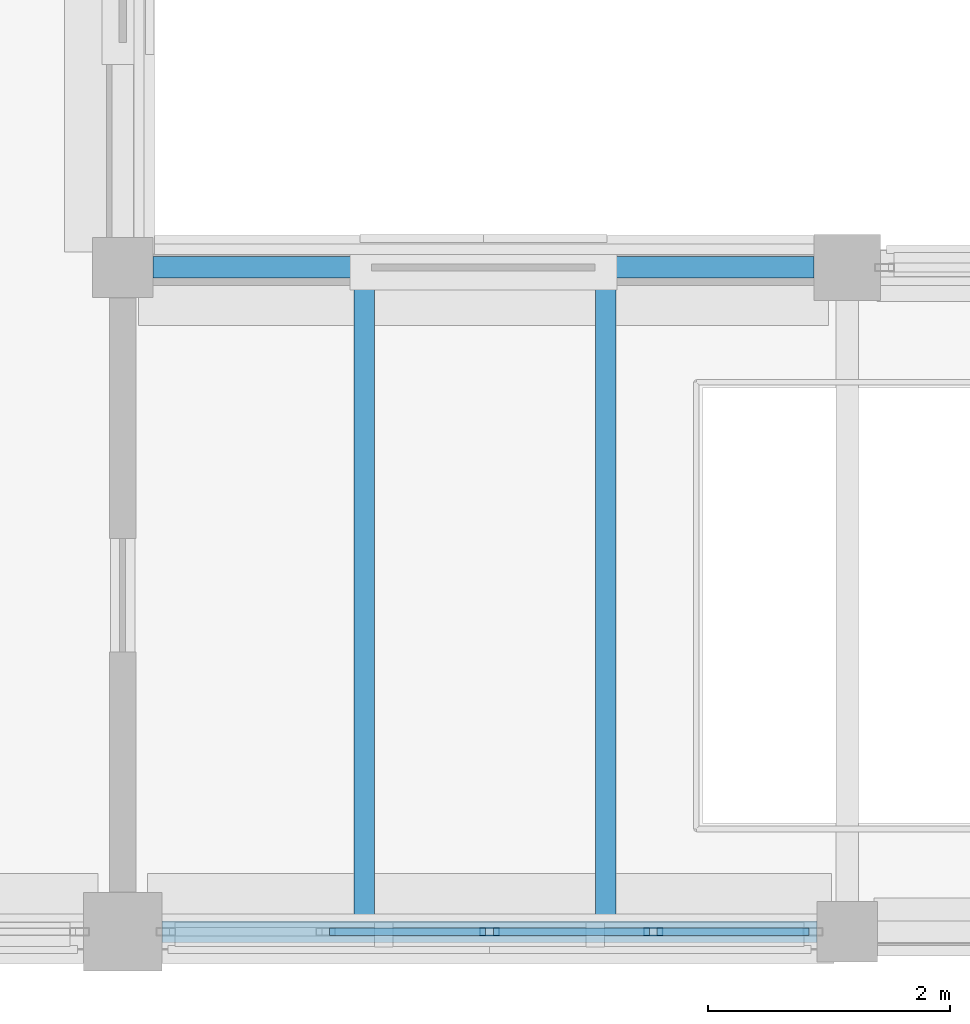
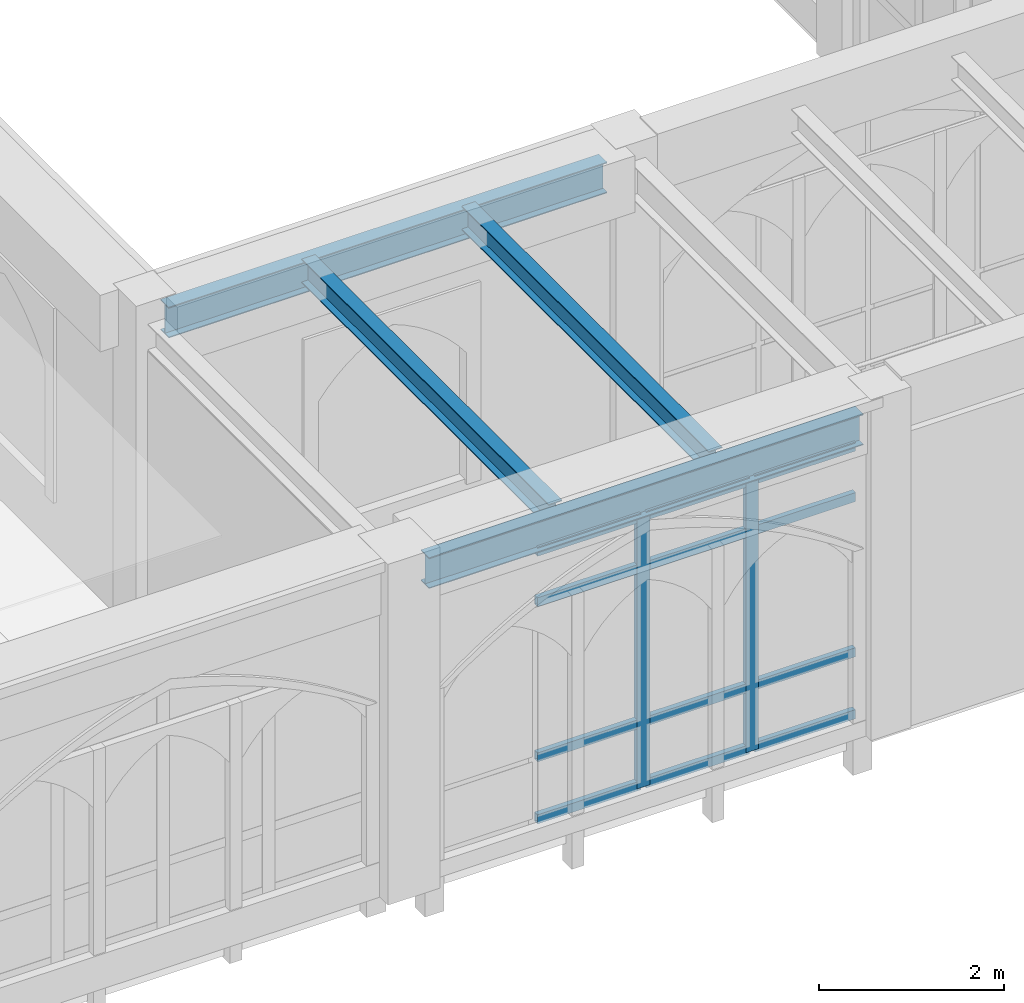
# One storey, part 15 of 127: 14 members, 4 beams, 1 element without a shape of its own.
"""IFC4 building model written with IfcOpenShell, lengths in metres."""

from ifc_helpers import new_model, si_unit, direction, frame, origin, origin_2d, place, context, subcontext, project, spatial, hollow_rectangle, i_section, extrude, material, layer, layer_set, material_profile, profile_set, type_object, element, aggregate, save


model = new_model("IFC4")

# Units and contexts
model_context = context("Model", 3, precision=1e-05, world=origin(), true_north=direction((0.0, 1.0)))
body_context = subcontext(model_context, "Body", "Model", "MODEL_VIEW")
ifc_project = project(units=[si_unit("LENGTHUNIT", "METRE"), si_unit("AREAUNIT", "SQUARE_METRE"), si_unit("VOLUMEUNIT", "CUBIC_METRE"), si_unit("PLANEANGLEUNIT", "RADIAN"), si_unit("MASSUNIT", "GRAM", prefix="KILO")], contexts=[model_context])

# Site, building, storey
site_placement = place(None, origin())
site = spatial("IfcSite", under=ifc_project, at=site_placement, CompositionType="ELEMENT")
building_placement = place(site_placement, origin())
building = spatial("IfcBuilding", under=site, at=building_placement, Name="Cumevento Cable Car Station", CompositionType="ELEMENT")
storey_placement = place(building_placement, frame((0.0, 0.0, 4.5)))
storey = spatial("IfcBuildingStorey", under=building, at=storey_placement, Name="L02", CompositionType="ELEMENT", Elevation=4.5)

# Curtain wall, members
ifc_material_1 = material(Name="Anodised Bronze Aluminium AW-6063-T6", Category="aluminium")
ifc_layer = layer(ifc_material_1, 0.214111328125)
ifc_layer_set = layer_set([ifc_layer], Name="Anodised Bronze Aluminium AW-6063-T6")
curtain_wall_type = type_object("IfcCurtainWallType", Name="Lancet Curtain Wall CW-10 1410", PredefinedType="NOTDEFINED", material=ifc_layer_set)
curtain_wall_placement = place(storey_placement, origin())
curtain_wall = element("IfcCurtainWall", 1, at=curtain_wall_placement, inside=storey, type_object=curtain_wall_type, Name="Lancet Curtain Wall CW-10 L02 #25", PredefinedType="NOTDEFINED")
ifc_material_2 = material(Name="Anodised Bronze Aluminium AW-6063-T6", Category="aluminium")
ifc_material_profile_1 = material_profile(ifc_material_2, hollow_rectangle(XDim=0.06494140625, YDim=0.159912109375, WallThickness=0.00390625, at=origin_2d()), Name="ALUM65x160x4")
ifc_profile_set_1 = profile_set([ifc_material_profile_1], Name="Anodised Bronze Aluminium AW-6063-T6")
member_type_1 = type_object("IfcMemberType", Name="Curtain Mullion CWM-01 ALUM65x160x4", PredefinedType="MULLION", material=ifc_profile_set_1)
member_1_placement = place(storey_placement, frame((50.393798828125, 4.0, 0.2099609375), z_axis=(0.0, 0.0, 1.0), x_axis=(0.0, -1.0, 0.0)))
member_1 = element("IfcMember", 2, at=member_1_placement, type_object=member_type_1, Name="CW-10 mullion 2", PredefinedType="MULLION", context=body_context, shape_type="SweptSolid", body=[
    extrude(hollow_rectangle(XDim=0.06494140625, YDim=0.159912109375, WallThickness=0.00390625, at=origin_2d()), origin(), (0.0, 0.0, 1.0), 3.59912109375),
])
member_2_placement = place(storey_placement, frame((49.03759765625, 4.0, 0.2099609375), z_axis=(0.0, 0.0, 1.0), x_axis=(0.0, -1.0, 0.0)))
member_2 = element("IfcMember", 3, at=member_2_placement, type_object=member_type_1, Name="CW-10 mullion 3", PredefinedType="MULLION", context=body_context, shape_type="SweptSolid", body=[
    extrude(hollow_rectangle(XDim=0.06494140625, YDim=0.159912109375, WallThickness=0.00390625, at=origin_2d()), origin(), (0.0, 0.0, 1.0), 3.59912109375),
])
ifc_material_3 = material(Name="Anodised Bronze Aluminium AW-6063-T6", Category="aluminium")
ifc_material_profile_2 = material_profile(ifc_material_3, hollow_rectangle(XDim=0.06494140625, YDim=0.1201171875, WallThickness=0.00390625, at=origin_2d()), Name="ALUT65x120x4")
ifc_profile_set_2 = profile_set([ifc_material_profile_2], Name="Anodised Bronze Aluminium AW-6063-T6")
member_type_2 = type_object("IfcMemberType", Name="Curtain Transom CWT-01 ALUT65x120x4", PredefinedType="USERDEFINED", material=ifc_profile_set_2)
member_3_placement = place(storey_placement, frame((51.68505859375, 4.0, 0.242431640625), z_axis=(-1.0, 0.0, 0.0), x_axis=(0.0, -1.0, 0.0)))
member_3 = element("IfcMember", 4, at=member_3_placement, type_object=member_type_2, Name="CW-10 transom 1.1", ObjectType="TRANSOM", PredefinedType="USERDEFINED", context=body_context, shape_type="SweptSolid", body=[
    extrude(hollow_rectangle(XDim=0.06494140625, YDim=0.1201171875, WallThickness=0.00390625, at=origin_2d()), origin(), (0.0, 0.0, 1.0), 1.2587890625),
])
member_4_placement = place(storey_placement, frame((51.68505859375, 4.0, 1.06005859375), z_axis=(-1.0, 0.0, 0.0), x_axis=(0.0, -1.0, 0.0)))
member_4 = element("IfcMember", 5, at=member_4_placement, type_object=member_type_2, Name="CW-10 transom 1.2", ObjectType="TRANSOM", PredefinedType="USERDEFINED", context=body_context, shape_type="SweptSolid", body=[
    extrude(hollow_rectangle(XDim=0.06494140625, YDim=0.1201171875, WallThickness=0.00390625, at=origin_2d()), origin(), (0.0, 0.0, 1.0), 1.2587890625),
])
member_5_placement = place(storey_placement, frame((51.68505859375, 4.0, 3.10888671875), z_axis=(-1.0, 0.0, 0.0), x_axis=(0.0, -1.0, 0.0)))
member_5 = element("IfcMember", 6, at=member_5_placement, type_object=member_type_2, Name="CW-10 transom 1.3", ObjectType="TRANSOM", PredefinedType="USERDEFINED", context=body_context, shape_type="SweptSolid", body=[
    extrude(hollow_rectangle(XDim=0.06494140625, YDim=0.1201171875, WallThickness=0.00390625, at=origin_2d()), origin(), (0.0, 0.0, 1.0), 1.2587890625),
])
member_6_placement = place(storey_placement, frame((51.68505859375, 4.0, 3.776611328125), z_axis=(-1.0, 0.0, 0.0), x_axis=(0.0, -1.0, 0.0)))
member_6 = element("IfcMember", 7, at=member_6_placement, type_object=member_type_2, Name="CW-10 transom 1.4", ObjectType="TRANSOM", PredefinedType="USERDEFINED", context=body_context, shape_type="SweptSolid", body=[
    extrude(hollow_rectangle(XDim=0.06494140625, YDim=0.1201171875, WallThickness=0.00390625, at=origin_2d()), origin(), (0.0, 0.0, 1.0), 1.2587890625),
])
member_7_placement = place(storey_placement, frame((50.361328125, 4.0, 0.242431640625), z_axis=(-1.0, 0.0, 0.0), x_axis=(0.0, -1.0, 0.0)))
member_7 = element("IfcMember", 8, at=member_7_placement, type_object=member_type_2, Name="CW-10 transom 2.1", ObjectType="TRANSOM", PredefinedType="USERDEFINED", context=body_context, shape_type="SweptSolid", body=[
    extrude(hollow_rectangle(XDim=0.06494140625, YDim=0.1201171875, WallThickness=0.00390625, at=origin_2d()), origin(), (0.0, 0.0, 1.0), 1.291259765625),
])
member_8_placement = place(storey_placement, frame((50.361328125, 4.0, 1.06005859375), z_axis=(-1.0, 0.0, 0.0), x_axis=(0.0, -1.0, 0.0)))
member_8 = element("IfcMember", 9, at=member_8_placement, type_object=member_type_2, Name="CW-10 transom 2.2", ObjectType="TRANSOM", PredefinedType="USERDEFINED", context=body_context, shape_type="SweptSolid", body=[
    extrude(hollow_rectangle(XDim=0.06494140625, YDim=0.1201171875, WallThickness=0.00390625, at=origin_2d()), origin(), (0.0, 0.0, 1.0), 1.291259765625),
])
member_9_placement = place(storey_placement, frame((50.361328125, 4.0, 3.10888671875), z_axis=(-1.0, 0.0, 0.0), x_axis=(0.0, -1.0, 0.0)))
member_9 = element("IfcMember", 10, at=member_9_placement, type_object=member_type_2, Name="CW-10 transom 2.3", ObjectType="TRANSOM", PredefinedType="USERDEFINED", context=body_context, shape_type="SweptSolid", body=[
    extrude(hollow_rectangle(XDim=0.06494140625, YDim=0.1201171875, WallThickness=0.00390625, at=origin_2d()), origin(), (0.0, 0.0, 1.0), 1.291259765625),
])
member_10_placement = place(storey_placement, frame((50.361328125, 4.0, 3.776611328125), z_axis=(-1.0, 0.0, 0.0), x_axis=(0.0, -1.0, 0.0)))
member_10 = element("IfcMember", 11, at=member_10_placement, type_object=member_type_2, Name="CW-10 transom 2.4", ObjectType="TRANSOM", PredefinedType="USERDEFINED", context=body_context, shape_type="SweptSolid", body=[
    extrude(hollow_rectangle(XDim=0.06494140625, YDim=0.1201171875, WallThickness=0.00390625, at=origin_2d()), origin(), (0.0, 0.0, 1.0), 1.291259765625),
])
member_11_placement = place(storey_placement, frame((49.0048828125, 4.0, 0.242431640625), z_axis=(-1.0, 0.0, 0.0), x_axis=(0.0, -1.0, 0.0)))
member_11 = element("IfcMember", 12, at=member_11_placement, type_object=member_type_2, Name="CW-10 transom 3.1", ObjectType="TRANSOM", PredefinedType="USERDEFINED", context=body_context, shape_type="SweptSolid", body=[
    extrude(hollow_rectangle(XDim=0.06494140625, YDim=0.1201171875, WallThickness=0.00390625, at=origin_2d()), origin(), (0.0, 0.0, 1.0), 1.291015625),
])
member_12_placement = place(storey_placement, frame((49.0048828125, 4.0, 1.06005859375), z_axis=(-1.0, 0.0, 0.0), x_axis=(0.0, -1.0, 0.0)))
member_12 = element("IfcMember", 13, at=member_12_placement, type_object=member_type_2, Name="CW-10 transom 3.2", ObjectType="TRANSOM", PredefinedType="USERDEFINED", context=body_context, shape_type="SweptSolid", body=[
    extrude(hollow_rectangle(XDim=0.06494140625, YDim=0.1201171875, WallThickness=0.00390625, at=origin_2d()), origin(), (0.0, 0.0, 1.0), 1.291015625),
])
member_13_placement = place(storey_placement, frame((49.0048828125, 4.0, 3.10888671875), z_axis=(-1.0, 0.0, 0.0), x_axis=(0.0, -1.0, 0.0)))
member_13 = element("IfcMember", 14, at=member_13_placement, type_object=member_type_2, Name="CW-10 transom 3.3", ObjectType="TRANSOM", PredefinedType="USERDEFINED", context=body_context, shape_type="SweptSolid", body=[
    extrude(hollow_rectangle(XDim=0.06494140625, YDim=0.1201171875, WallThickness=0.00390625, at=origin_2d()), origin(), (0.0, 0.0, 1.0), 1.291015625),
])
member_14_placement = place(storey_placement, frame((49.0048828125, 4.0, 3.776611328125), z_axis=(-1.0, 0.0, 0.0), x_axis=(0.0, -1.0, 0.0)))
member_14 = element("IfcMember", 15, at=member_14_placement, type_object=member_type_2, Name="CW-10 transom 3.4", ObjectType="TRANSOM", PredefinedType="USERDEFINED", context=body_context, shape_type="SweptSolid", body=[
    extrude(hollow_rectangle(XDim=0.06494140625, YDim=0.1201171875, WallThickness=0.00390625, at=origin_2d()), origin(), (0.0, 0.0, 1.0), 1.291015625),
])
aggregate(curtain_wall, [member_1, member_2, member_3, member_4, member_5, member_6, member_7, member_8, member_9, member_10, member_11, member_12, member_13, member_14])

# Beams
ifc_material_4 = material(Name="Steel ASTM A572 Grade 50", Category="steel")
ifc_material_profile_3 = material_profile(ifc_material_4, i_section(OverallWidth=0.1669921875, OverallDepth=0.31689453125, WebThickness=0.007568359375, FlangeThickness=0.01318359375, at=origin_2d()), Name="W310x52.0")
ifc_profile_set_3 = profile_set([ifc_material_profile_3], Name="Steel ASTM A572 Grade 50")
beam_type_1 = type_object("IfcBeamType", Name="Structural Joist JS-02 W310x52.0", PredefinedType="JOIST", material=ifc_profile_set_3)
for number, where, z_axis, x_axis, name in (
    (16, (48.0, 4.076904296875, 4.10546875), (0.0, 1.0, 0.0), (-1.0, 0.0, 0.0), "Composite Floor Joist JS-02 L02 #734"),
    (17, (50.0, 4.076904296875, 4.10546875), (0.0, 1.0, 0.0), (-1.0, 0.0, 0.0), "Composite Floor Joist JS-02 L02 #735"),
):
    element("IfcBeam", number, at=place(storey_placement, frame(where, z_axis=z_axis, x_axis=x_axis)), inside=storey, type_object=beam_type_1, Name=name, PredefinedType="JOIST", context=body_context, shape_type="SweptSolid", body=[
        extrude(i_section(OverallWidth=0.1669921875, OverallDepth=0.31689453125, WebThickness=0.007568359375, FlangeThickness=0.01318359375, at=origin_2d()), origin(), (0.0, 0.0, 1.0), 5.34619140625),
    ])
ifc_material_5 = material(Name="Steel ASTM A572 Grade 50", Category="steel")
ifc_material_profile_4 = material_profile(ifc_material_5, i_section(OverallWidth=0.177978515625, OverallDepth=0.406982421875, WebThickness=0.0078125, FlangeThickness=0.0126953125, at=origin_2d()), Name="W410x60.0")
ifc_profile_set_4 = profile_set([ifc_material_profile_4], Name="Steel ASTM A572 Grade 50")
beam_type_2 = type_object("IfcBeamType", Name="Structural Spandrel SP-01 W410x60.0", PredefinedType="SPANDREL", material=ifc_profile_set_4)
beam_1_placement = place(storey_placement, frame((46.324951171875, 4.0, 4.012451171875), z_axis=(1.0, 0.0, 0.0), x_axis=(0.0, 1.0, 0.0)))
element("IfcBeam", 18, at=beam_1_placement, inside=storey, type_object=beam_type_2, Name="Beam SP-01 L02 #449", PredefinedType="SPANDREL", context=body_context, shape_type="SweptSolid", body=[
    extrude(i_section(OverallWidth=0.177978515625, OverallDepth=0.406982421875, WebThickness=0.0078125, FlangeThickness=0.0126953125, at=origin_2d()), origin(), (0.0, 0.0, 1.0), 5.425048828125),
])
beam_2_placement = place(storey_placement, frame((46.25, 9.5, 4.012451171875), z_axis=(1.0, 0.0, 0.0), x_axis=(0.0, 1.0, 0.0)))
element("IfcBeam", 19, at=beam_2_placement, inside=storey, type_object=beam_type_2, Name="Beam SP-01 L02 #455", PredefinedType="SPANDREL", context=body_context, shape_type="SweptSolid", body=[
    extrude(i_section(OverallWidth=0.177978515625, OverallDepth=0.406982421875, WebThickness=0.0078125, FlangeThickness=0.0126953125, at=origin_2d()), origin(), (0.0, 0.0, 1.0), 5.47509765625),
])

save(model, "model.ifc")
